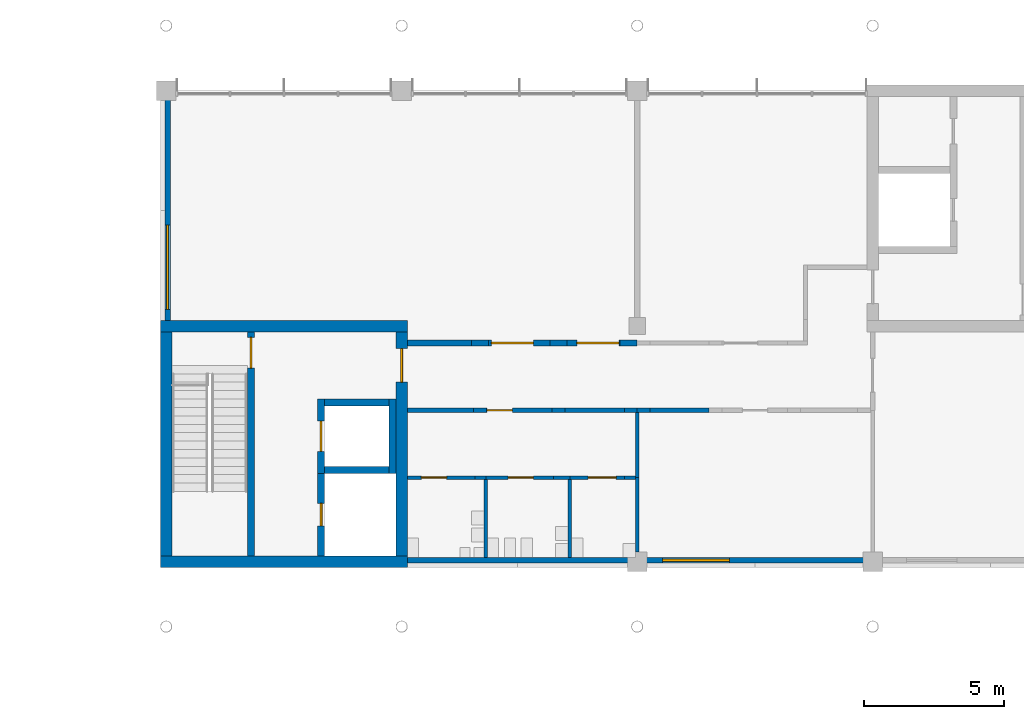
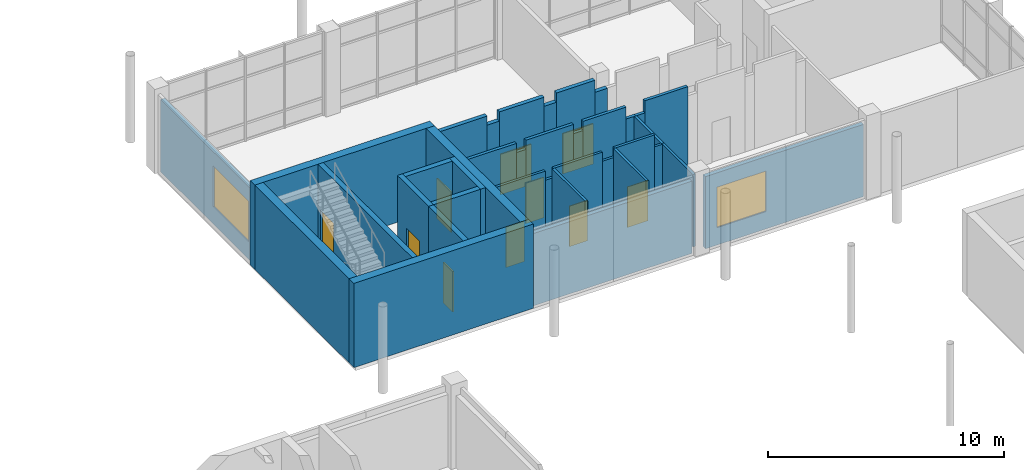
# One storey, part 44 of 70: 37 walls, 10 doors, 2 windows, 12 openings.
"""IFC4 building model written with IfcOpenShell, lengths in metres."""

import ifcopenshell
import ifcopenshell.guid

model = None  # the IFC model being written
_history = None  # IfcOwnerHistory: only IFC2X3 demands one
_inside = {}  # id of a spatial element -> (the spatial element, [elements in it])
_under = {}  # id of a project, library or spatial element -> (it, [spatial elements below it])
_declared = {}  # id of a project -> (the project, [libraries it declares])
_typed = {}  # id of a type object -> (the type object, [elements of that type])
_made_of = {}  # id of a material, layer set ... -> (it, [elements and type objects made of it])


def new_model(schema):
    """Start an empty IFC model of exactly this schema.

    Asked for "IFC4X3", IfcOpenShell would pick the latest addendum, in which some entities
    have other attributes; the version numbers below select the first issue.
    IFC2X3 requires an IfcOwnerHistory on every rooted entity: one is made here for all.
    """
    global model, _history
    if schema == "IFC4X3":
        model = ifcopenshell.file(schema_version=(4, 3, 0, 0))
    else:
        model = ifcopenshell.file(schema=schema)
    _inside.clear()
    _under.clear()
    _declared.clear()
    _typed.clear()
    _made_of.clear()
    _history = None
    if model.schema == "IFC2X3":
        org = make("IfcOrganization", Name="unknown")
        user = make(
            "IfcPersonAndOrganization",
            ThePerson=make("IfcPerson", FamilyName="unknown"),
            TheOrganization=org,
        )
        app = make(
            "IfcApplication",
            ApplicationDeveloper=org,
            Version="unknown",
            ApplicationFullName="unknown",
            ApplicationIdentifier="unknown",
        )
        _history = make(
            "IfcOwnerHistory",
            OwningUser=user,
            OwningApplication=app,
            ChangeAction="ADDED",
            CreationDate=0,
        )
    return model


def make(cls, **values):
    """One entity of the class cls with the attributes given. An attribute that is None is left unset."""
    return model.create_entity(
        cls, **{name: value for name, value in values.items() if value is not None}
    )


def rooted(cls, **values):
    """An entity with a GlobalId (a new one), such as an element, a storey or a relation."""
    return make(cls, GlobalId=ifcopenshell.guid.new(), OwnerHistory=_history, **values)


def si_unit(unit_type, name, prefix=None):
    """IfcSIUnit, for example si_unit("LENGTHUNIT", "METRE", prefix="MILLI")."""
    return make("IfcSIUnit", UnitType=unit_type, Prefix=prefix, Name=name)


def assignment(units):
    """IfcUnitAssignment: the units of a project."""
    return None if units is None else make("IfcUnitAssignment", Units=units)


def point(xyz):
    """IfcCartesianPoint."""
    return None if xyz is None else make("IfcCartesianPoint", Coordinates=xyz)


def direction(xyz):
    """IfcDirection."""
    return None if xyz is None else make("IfcDirection", DirectionRatios=xyz)


def frame(location, z_axis=None, x_axis=None):
    """IfcAxis2Placement3D, a coordinate frame: its origin and axes. An axis left out is left unset."""
    return make(
        "IfcAxis2Placement3D",
        Location=point(location),
        Axis=direction(z_axis),
        RefDirection=direction(x_axis),
    )


def frame_2d(location, x_axis=None):
    """IfcAxis2Placement2D, a coordinate frame in the plane: its origin and x axis."""
    return make(
        "IfcAxis2Placement2D", Location=point(location), RefDirection=direction(x_axis)
    )


def origin():
    """The frame at (0, 0, 0) with its axes left unset."""
    return frame((0.0, 0.0, 0.0))


def place(relative_to, where):
    """IfcLocalPlacement: puts the frame where relative to a parent placement (None: the world)."""
    return make(
        "IfcLocalPlacement", PlacementRelTo=relative_to, RelativePlacement=where
    )


def context(
    kind, dimensions, precision=None, world=None, true_north=None, identifier=None
):
    """IfcGeometricRepresentationContext, for example the 3D "Model" context."""
    return make(
        "IfcGeometricRepresentationContext",
        ContextIdentifier=identifier,
        ContextType=kind,
        CoordinateSpaceDimension=dimensions,
        Precision=precision,
        WorldCoordinateSystem=world,
        TrueNorth=true_north,
    )


def subcontext(parent, identifier, kind, view, scale=None):
    """IfcGeometricRepresentationSubContext, for example "Body" below "Model"."""
    return make(
        "IfcGeometricRepresentationSubContext",
        ContextIdentifier=identifier,
        ContextType=kind,
        ParentContext=parent,
        TargetScale=scale,
        TargetView=view,
    )


def project(units=None, contexts=None):
    """IfcProject with its units and contexts."""
    return rooted(
        "IfcProject",
        Name="project",
        RepresentationContexts=contexts,
        UnitsInContext=assignment(units),
    )


def spatial(cls, under=None, at=None, **own):
    """A site, building, storey or space (cls), placed at a placement, below another one or the project."""
    s = rooted(cls, ObjectPlacement=at, **own)
    if under is not None:
        _under.setdefault(under.id(), (under, []))[1].append(s)
    return s


def profile(cls, at=None, kind="AREA", **sizes):
    """A parametric profile (cls). Its sizes go by their IFC names, for example OverallWidth=200.0."""
    return make(cls, ProfileType=kind, Position=at, **sizes)


def rectangle(**sizes):
    """IfcRectangleProfileDef."""
    return profile("IfcRectangleProfileDef", **sizes)


def extrude(swept, where, along, depth):
    """IfcExtrudedAreaSolid: the profile swept, set in the frame where, extruded along a direction by depth."""
    return make(
        "IfcExtrudedAreaSolid",
        SweptArea=swept,
        Position=where,
        ExtrudedDirection=direction(along),
        Depth=depth,
    )


def shape(context_of_items, identifier, shape_type, items):
    """IfcShapeRepresentation: the items that make up one representation, for example the "Body"."""
    return make(
        "IfcShapeRepresentation",
        ContextOfItems=context_of_items,
        RepresentationIdentifier=identifier,
        RepresentationType=shape_type,
        Items=items,
    )


def material(Name=None, Category=None):
    """IfcMaterial."""
    return make("IfcMaterial", Name=Name, Category=Category)


def layer(
    of_material, thickness, ventilated=None, Name=None, Category=None, Priority=None
):
    """IfcMaterialLayer: one layer of a wall or slab, of a material (None: an air gap)."""
    return make(
        "IfcMaterialLayer",
        Material=of_material,
        LayerThickness=thickness,
        IsVentilated=ventilated,
        Name=Name,
        Category=Category,
        Priority=Priority,
    )


def layer_set(layers, Name=None):
    """IfcMaterialLayerSet."""
    return make("IfcMaterialLayerSet", MaterialLayers=layers, LayerSetName=Name)


def made_of(thing, what):
    """Note that an element or type object is made of a material, layer set ...; save() writes the relation."""
    if what is not None:
        _made_of.setdefault(what.id(), (what, []))[1].append(thing)
    return thing


def type_object(cls, material=None, **own):
    """A type object (cls), such as IfcWallType, which elements share."""
    return made_of(rooted(cls, **own), material)


def element(
    cls,
    number,
    at=None,
    inside=None,
    cuts=None,
    type_object=None,
    material=None,
    context=None,
    identifier="Body",
    shape_type=None,
    held_by="IfcProductDefinitionShape",
    body=None,
    shapes=None,
    **own,
):
    """One element of the class cls, such as IfcWall. Its Tag is "e" and its number.

    at: its placement. inside: the storey or other place that contains it. cuts: it is an
    opening in that element (IfcRelVoidsElement). A single representation is given by context,
    identifier, shape_type and body (its items); several are given by shapes. held_by: the class
    of the entity that holds the representations. save() writes the other relations.
    """
    e = rooted(cls, Tag="e%d" % number, ObjectPlacement=at, **own)
    if body is not None:
        shapes = [shape(context, identifier, shape_type, body)]
    if shapes is not None:
        e.Representation = make(held_by, Representations=shapes)
    if inside is not None:
        _inside.setdefault(inside.id(), (inside, []))[1].append(e)
    if cuts is not None:
        rooted(
            "IfcRelVoidsElement", RelatingBuildingElement=cuts, RelatedOpeningElement=e
        )
    if type_object is not None:
        _typed.setdefault(type_object.id(), (type_object, []))[1].append(e)
    return made_of(e, material)


def fill(opening, filler):
    """IfcRelFillsElement: the door or window that sits in an opening."""
    return rooted(
        "IfcRelFillsElement",
        RelatingOpeningElement=opening,
        RelatedBuildingElement=filler,
    )


def aggregate(whole, parts):
    """IfcRelAggregates: a whole, such as a stair, and the parts it consists of."""
    return rooted("IfcRelAggregates", RelatingObject=whole, RelatedObjects=parts)


def save(model, path):
    """Write the relations noted so far, then the file.

    IfcRelAggregates (storeys below a building ...), IfcRelContainedInSpatialStructure (elements
    in a storey), IfcRelDefinesByType, IfcRelAssociatesMaterial and IfcRelDeclares: one each for
    every whole, place, type object, material and project.
    """
    for whole, parts in _under.values():
        aggregate(whole, parts)
    for where, things in _inside.values():
        rooted(
            "IfcRelContainedInSpatialStructure",
            RelatedElements=things,
            RelatingStructure=where,
        )
    for kind, things in _typed.values():
        rooted("IfcRelDefinesByType", RelatedObjects=things, RelatingType=kind)
    for what, things in _made_of.values():
        rooted("IfcRelAssociatesMaterial", RelatedObjects=things, RelatingMaterial=what)
    for by, libraries in _declared.values():
        rooted("IfcRelDeclares", RelatingContext=by, RelatedDefinitions=libraries)
    model.write(path)


model = new_model("IFC4")

# Units and contexts
model_context = context("Model", 3, precision=1e-05, world=origin(), true_north=direction((0.0, 1.0)))
body_context = subcontext(model_context, "Body", "Model", "MODEL_VIEW")
ifc_project = project(units=[si_unit("LENGTHUNIT", "METRE"), si_unit("AREAUNIT", "SQUARE_METRE"), si_unit("VOLUMEUNIT", "CUBIC_METRE"), si_unit("PLANEANGLEUNIT", "RADIAN"), si_unit("MASSUNIT", "GRAM", prefix="KILO")], contexts=[model_context])

# Site, building, storey
site_placement = place(None, origin())
site = spatial("IfcSite", under=ifc_project, at=site_placement, CompositionType="ELEMENT")
building_placement = place(site_placement, origin())
building = spatial("IfcBuilding", under=site, at=building_placement, Name="Hlaing Beacon Police Headquarters", CompositionType="ELEMENT")
storey_placement = place(building_placement, frame((0.0, 0.0, 5.39990234375)))
storey = spatial("IfcBuildingStorey", under=building, at=storey_placement, Name="L01", CompositionType="ELEMENT", Elevation=5.39990234375)

# Walls
ifc_material_1 = material(Name="Concrete blockwork 7.5 N/mm2", Category="masonry")
ifc_layer_1 = layer(ifc_material_1, 0.199951171875)
ifc_layer_set_1 = layer_set([ifc_layer_1], Name="Concrete blockwork 7.5 N/mm2")
wall_type_1 = type_object("IfcWallType", Name="Compartment wall EI 60 200", PredefinedType="PARTITIONING", material=ifc_layer_set_1)
wall_1_placement = place(storey_placement, frame((42.199951171875, 83.39990234375, 0.0), z_axis=(0.0, 0.0, 1.0), x_axis=(1.0, 0.0, 0.0)))
element("IfcWall", 1, at=wall_1_placement, inside=storey, type_object=wall_type_1, Name="Compartment wall EI 60 200", PredefinedType="PARTITIONING", context=body_context, shape_type="SweptSolid", body=[
    extrude(rectangle(XDim=2.295166015625, YDim=0.199951171875, at=frame_2d((1.1474609375, 0.0))), origin(), (0.0, 0.0, 1.0), 4.3701171875),
])
wall_2_placement = place(storey_placement, frame((44.4951171875, 83.39990234375, 0.0), z_axis=(0.0, 0.0, 1.0), x_axis=(1.0, 0.0, 0.0)))
element("IfcWall", 2, at=wall_2_placement, inside=storey, type_object=wall_type_1, Name="Compartment wall EI 60 200", PredefinedType="PARTITIONING", context=body_context, shape_type="SweptSolid", body=[
    extrude(rectangle(XDim=0.60986328125, YDim=0.199951171875, at=frame_2d((0.304931640625, 0.0))), origin(), (0.0, 0.0, 1.0), 3.89501953125),
])

# Wall, opening, door
wall_3_placement = place(storey_placement, frame((45.10498046875, 83.39990234375, 0.0), z_axis=(0.0, 0.0, 1.0), x_axis=(1.0, 0.0, 0.0)))
wall_3 = element("IfcWall", 3, at=wall_3_placement, inside=storey, type_object=wall_type_1, Name="Compartment wall EI 60 200", PredefinedType="PARTITIONING", context=body_context, shape_type="SweptSolid", body=[
    extrude(rectangle(XDim=2.18994140625, YDim=0.199951171875, at=frame_2d((1.094970703125, 0.0))), origin(), (0.0, 0.0, 1.0), 4.3701171875),
])
opening_1_placement = place(wall_3_placement, frame((0.094970703125, 0.0, 0.0)))
opening_1 = element("IfcOpeningElement", 4, at=opening_1_placement, cuts=wall_3, Name="Opening L01-011", PredefinedType="OPENING", context=body_context, shape_type="SweptSolid", body=[
    extrude(rectangle(XDim=1.5, YDim=2.10009765625, at=frame_2d((0.75, 1.050048828125))), frame((0.0, 0.10986328125, 0.0), z_axis=(0.0, -1.0, 0.0), x_axis=(1.0, 0.0, 0.0)), (0.0, 0.0, 1.0), 0.219970703125),
])
ifc_material_2 = material(Name="Hardwood door leaf", Category="wood")
ifc_layer_2 = layer(ifc_material_2, 0.06005859375)
ifc_layer_set_2 = layer_set([ifc_layer_2], Name="Hardwood door leaf")
door_type_1 = type_object("IfcDoorType", Name="Fire cross-corridor door FD60 1500x2100", OperationType="DOUBLE_DOOR_SINGLE_SWING", PredefinedType="DOOR", material=ifc_layer_set_2)
door_1_placement = place(opening_1_placement, origin())
door_1 = element("IfcDoor", 5, at=door_1_placement, inside=storey, type_object=door_type_1, Name="Door Dispatch and Call-Taking Floor", OperationType="DOUBLE_DOOR_SINGLE_SWING", OverallHeight=2.10009765625, OverallWidth=1.5, PredefinedType="DOOR", context=body_context, shape_type="SweptSolid", body=[
    extrude(rectangle(XDim=1.5, YDim=2.10009765625, at=frame_2d((0.75, 1.050048828125))), frame((0.0, 0.030029296875, 0.0), z_axis=(0.0, -1.0, 0.0), x_axis=(1.0, 0.0, 0.0)), (0.0, 0.0, 1.0), 0.06005859375),
])
fill(opening_1, door_1)

# Wall
wall_4_placement = place(storey_placement, frame((47.294921875, 83.39990234375, 0.0), z_axis=(0.0, 0.0, 1.0), x_axis=(1.0, 0.0, 0.0)))
element("IfcWall", 6, at=wall_4_placement, inside=storey, type_object=wall_type_1, Name="Compartment wall EI 60 200", PredefinedType="PARTITIONING", context=body_context, shape_type="SweptSolid", body=[
    extrude(rectangle(XDim=0.610107421875, YDim=0.199951171875, at=frame_2d((0.30517578125, 0.0))), origin(), (0.0, 0.0, 1.0), 3.89501953125),
])

# Wall, opening, door
wall_5_placement = place(storey_placement, frame((47.905029296875, 83.39990234375, 0.0), z_axis=(0.0, 0.0, 1.0), x_axis=(1.0, 0.0, 0.0)))
wall_5 = element("IfcWall", 7, at=wall_5_placement, inside=storey, type_object=wall_type_1, Name="Compartment wall EI 60 200", PredefinedType="PARTITIONING", context=body_context, shape_type="SweptSolid", body=[
    extrude(rectangle(XDim=1.885009765625, YDim=0.199951171875, at=frame_2d((0.9423828125, 0.0))), origin(), (0.0, 0.0, 1.0), 4.3701171875),
])
opening_2_placement = place(wall_5_placement, frame((0.344970703125, 0.0, 0.0)))
opening_2 = element("IfcOpeningElement", 8, at=opening_2_placement, cuts=wall_5, Name="Opening L01-012", PredefinedType="OPENING", context=body_context, shape_type="SweptSolid", body=[
    extrude(rectangle(XDim=1.5, YDim=2.10009765625, at=frame_2d((0.75, 1.050048828125))), frame((0.0, 0.10986328125, 0.0), z_axis=(0.0, -1.0, 0.0), x_axis=(1.0, 0.0, 0.0)), (0.0, 0.0, 1.0), 0.219970703125),
])
door_2_placement = place(opening_2_placement, origin())
door_2 = element("IfcDoor", 9, at=door_2_placement, inside=storey, type_object=door_type_1, Name="Door Dispatch and Call-Taking Floor", OperationType="DOUBLE_DOOR_SINGLE_SWING", OverallHeight=2.10009765625, OverallWidth=1.5, PredefinedType="DOOR", context=body_context, shape_type="SweptSolid", body=[
    extrude(rectangle(XDim=1.5, YDim=2.10009765625, at=frame_2d((0.75, 1.050048828125))), frame((0.0, 0.030029296875, 0.0), z_axis=(0.0, -1.0, 0.0), x_axis=(1.0, 0.0, 0.0)), (0.0, 0.0, 1.0), 0.06005859375),
])
fill(opening_2, door_2)

# Walls
wall_6_placement = place(storey_placement, frame((49.7900390625, 83.39990234375, 0.0), z_axis=(0.0, 0.0, 1.0), x_axis=(1.0, 0.0, 0.0)))
element("IfcWall", 10, at=wall_6_placement, inside=storey, type_object=wall_type_1, Name="Compartment wall EI 60 200", PredefinedType="PARTITIONING", context=body_context, shape_type="SweptSolid", body=[
    extrude(rectangle(XDim=0.60986328125, YDim=0.199951171875, at=frame_2d((0.304931640625, 0.0))), origin(), (0.0, 0.0, 1.0), 3.74609375),
])
ifc_material_3 = material(Name="Concrete C60/75", Category="concrete")
ifc_layer_3 = layer(ifc_material_3, 0.39990234375)
ifc_layer_set_3 = layer_set([ifc_layer_3], Name="Concrete C60/75")
wall_type_2 = type_object("IfcWallType", Name="Core shear wall 400", PredefinedType="SHEAR", material=ifc_layer_set_3)
for number, where, z_axis, x_axis, name in (
    (11, (33.39990234375, 75.60009765625, 0.0), (0.0, 0.0, 1.0), (1.0, 0.0, 0.0), "Core shear wall"),
    (12, (33.39990234375, 84.0, 0.0), (0.0, 0.0, 1.0), (1.0, 0.0, 0.0), "Core shear wall"),
):
    element("IfcWall", number, at=place(storey_placement, frame(where, z_axis=z_axis, x_axis=x_axis)), inside=storey, type_object=wall_type_2, Name=name, PredefinedType="SHEAR", context=body_context, shape_type="SweptSolid", body=[
        extrude(rectangle(XDim=8.800048828125, YDim=0.39990234375, at=frame_2d((4.39990234375, 0.0))), origin(), (0.0, 0.0, 1.0), 4.3701171875),
    ])
wall_7_placement = place(storey_placement, frame((33.60009765625, 75.800048828125, 0.0), z_axis=(0.0, 0.0, 1.0), x_axis=(0.0, 1.0, 0.0)))
element("IfcWall", 13, at=wall_7_placement, inside=storey, type_object=wall_type_2, Name="Core shear wall", PredefinedType="SHEAR", context=body_context, shape_type="SweptSolid", body=[
    extrude(rectangle(XDim=8.0, YDim=0.39990234375, at=frame_2d((4.0, 0.0))), origin(), (0.0, 0.0, 1.0), 4.3701171875),
])

# Wall, opening, door
wall_8_placement = place(storey_placement, frame((42.0, 75.800048828125, 0.0), z_axis=(0.0, 0.0, 1.0), x_axis=(0.0, 1.0, 0.0)))
wall_8 = element("IfcWall", 14, at=wall_8_placement, inside=storey, type_object=wall_type_2, Name="Core shear wall", PredefinedType="SHEAR", context=body_context, shape_type="SweptSolid", body=[
    extrude(rectangle(XDim=8.0, YDim=0.39990234375, at=frame_2d((4.0, 0.0))), origin(), (0.0, 0.0, 1.0), 4.3701171875),
])
opening_3_placement = place(wall_8_placement, frame((6.199951171875, 0.0, 0.0)))
opening_3 = element("IfcOpeningElement", 15, at=opening_3_placement, cuts=wall_8, Name="Opening L01-915", PredefinedType="OPENING", context=body_context, shape_type="SweptSolid", body=[
    extrude(rectangle(XDim=1.199951171875, YDim=2.10009765625, at=frame_2d((0.60009765625, 1.050048828125))), frame((0.0, 0.2099609375, 0.0), z_axis=(0.0, -1.0, 0.0), x_axis=(1.0, 0.0, 0.0)), (0.0, 0.0, 1.0), 0.419921875),
])
ifc_material_4 = material(Name="Steel fire door leaf", Category="steel")
ifc_layer_4 = layer(ifc_material_4, 0.070068359375)
ifc_layer_set_4 = layer_set([ifc_layer_4], Name="Steel fire door leaf")
door_type_2 = type_object("IfcDoorType", Name="Steel fire door FD60S 1200x2100", OperationType="SINGLE_SWING_LEFT", PredefinedType="DOOR", material=ifc_layer_set_4)
door_3_placement = place(opening_3_placement, origin())
door_3 = element("IfcDoor", 16, at=door_3_placement, inside=storey, type_object=door_type_2, Name="Door Lift and Stair Lobby ST-E Entry", OperationType="SINGLE_SWING_RIGHT", OverallHeight=2.10009765625, OverallWidth=1.199951171875, PredefinedType="DOOR", context=body_context, shape_type="SweptSolid", body=[
    extrude(rectangle(XDim=1.199951171875, YDim=2.10009765625, at=frame_2d((0.60009765625, 1.050048828125))), frame((0.0, 0.03515625, 0.0), z_axis=(0.0, -1.0, 0.0), x_axis=(1.0, 0.0, 0.0)), (0.0, 0.0, 1.0), 0.070068359375),
])
fill(opening_3, door_3)

# Walls
ifc_material_5 = material(Name="Gypsum board partition")
ifc_layer_5 = layer(ifc_material_5, 0.14990234375)
ifc_layer_set_5 = layer_set([ifc_layer_5], Name="Gypsum board partition")
wall_type_3 = type_object("IfcWallType", Name="Corridor wall EI 30 150", PredefinedType="PARTITIONING", material=ifc_layer_set_5)
wall_9_placement = place(storey_placement, frame((50.39990234375, 81.0, 0.0), z_axis=(0.0, 0.0, 1.0), x_axis=(1.0, 0.0, 0.0)))
element("IfcWall", 17, at=wall_9_placement, inside=storey, type_object=wall_type_3, Name="Corridor wall EI 30 150", PredefinedType="PARTITIONING", context=body_context, shape_type="SweptSolid", body=[
    extrude(rectangle(XDim=0.460205078125, YDim=0.14990234375, at=frame_2d((0.22998046875, 0.0))), origin(), (0.0, 0.0, 1.0), 3.74609375),
])
wall_10_placement = place(storey_placement, frame((50.860107421875, 81.0, 0.0), z_axis=(0.0, 0.0, 1.0), x_axis=(1.0, 0.0, 0.0)))
element("IfcWall", 18, at=wall_10_placement, inside=storey, type_object=wall_type_3, Name="Corridor wall EI 30 150", PredefinedType="PARTITIONING", context=body_context, shape_type="SweptSolid", body=[
    extrude(rectangle(XDim=2.10986328125, YDim=0.14990234375, at=frame_2d((1.054931640625, 0.0))), origin(), (0.0, 0.0, 1.0), 4.3701171875),
])
wall_11_placement = place(storey_placement, frame((42.199951171875, 81.0, 0.0), z_axis=(0.0, 0.0, 1.0), x_axis=(1.0, 0.0, 0.0)))
element("IfcWall", 19, at=wall_11_placement, inside=storey, type_object=wall_type_3, Name="Corridor wall EI 30 150", PredefinedType="PARTITIONING", context=body_context, shape_type="SweptSolid", body=[
    extrude(rectangle(XDim=2.3701171875, YDim=0.14990234375, at=frame_2d((1.18505859375, 0.0))), origin(), (0.0, 0.0, 1.0), 4.3701171875),
])
wall_12_placement = place(storey_placement, frame((44.570068359375, 81.0, 0.0), z_axis=(0.0, 0.0, 1.0), x_axis=(1.0, 0.0, 0.0)))
element("IfcWall", 20, at=wall_12_placement, inside=storey, type_object=wall_type_3, Name="Corridor wall EI 30 150", PredefinedType="PARTITIONING", context=body_context, shape_type="SweptSolid", body=[
    extrude(rectangle(XDim=0.4599609375, YDim=0.14990234375, at=frame_2d((0.22998046875, 0.0))), origin(), (0.0, 0.0, 1.0), 3.89501953125),
])

# Wall, opening, door
wall_13_placement = place(storey_placement, frame((45.030029296875, 81.0, 0.0), z_axis=(0.0, 0.0, 1.0), x_axis=(1.0, 0.0, 0.0)))
wall_13 = element("IfcWall", 21, at=wall_13_placement, inside=storey, type_object=wall_type_3, Name="Corridor wall EI 30 150", PredefinedType="PARTITIONING", context=body_context, shape_type="SweptSolid", body=[
    extrude(rectangle(XDim=2.340087890625, YDim=0.14990234375, at=frame_2d((1.169921875, 0.0))), origin(), (0.0, 0.0, 1.0), 4.3701171875),
])
opening_4_placement = place(wall_13_placement, frame((0.02001953125, 0.0, 0.0)))
opening_4 = element("IfcOpeningElement", 22, at=opening_4_placement, cuts=wall_13, Name="Opening L01-017", PredefinedType="OPENING", context=body_context, shape_type="SweptSolid", body=[
    extrude(rectangle(XDim=0.89990234375, YDim=2.10009765625, at=frame_2d((0.449951171875, 1.050048828125))), frame((0.0, 0.0849609375, 0.0), z_axis=(0.0, -1.0, 0.0), x_axis=(1.0, 0.0, 0.0)), (0.0, 0.0, 1.0), 0.169921875),
])
ifc_material_6 = material(Name="Hardwood door leaf", Category="wood")
ifc_layer_6 = layer(ifc_material_6, 0.050048828125)
ifc_layer_set_6 = layer_set([ifc_layer_6], Name="Hardwood door leaf")
door_type_3 = type_object("IfcDoorType", Name="Fire door FD30S 900x2100", OperationType="SINGLE_SWING_LEFT", PredefinedType="DOOR", material=ifc_layer_set_6)
door_4_placement = place(opening_4_placement, frame((0.89990234375, 0.0, 0.0), z_axis=(0.0, 0.0, 1.0), x_axis=(-1.0, 0.0, 0.0)))
door_4 = element("IfcDoor", 23, at=door_4_placement, inside=storey, type_object=door_type_3, Name="Door WC Lobby", OperationType="SINGLE_SWING_LEFT", OverallHeight=2.10009765625, OverallWidth=0.89990234375, PredefinedType="DOOR", context=body_context, shape_type="SweptSolid", body=[
    extrude(rectangle(XDim=0.89990234375, YDim=2.10009765625, at=frame_2d((0.449951171875, 1.050048828125))), frame((0.0, 0.025146484375, 0.0), z_axis=(0.0, -1.0, 0.0), x_axis=(1.0, 0.0, 0.0)), (0.0, 0.0, 1.0), 0.050048828125),
])
fill(opening_4, door_4)

# Walls
wall_14_placement = place(storey_placement, frame((47.3701171875, 81.0, 0.0), z_axis=(0.0, 0.0, 1.0), x_axis=(1.0, 0.0, 0.0)))
element("IfcWall", 24, at=wall_14_placement, inside=storey, type_object=wall_type_3, Name="Corridor wall EI 30 150", PredefinedType="PARTITIONING", context=body_context, shape_type="SweptSolid", body=[
    extrude(rectangle(XDim=0.4599609375, YDim=0.14990234375, at=frame_2d((0.22998046875, 0.0))), origin(), (0.0, 0.0, 1.0), 3.89501953125),
])
wall_15_placement = place(storey_placement, frame((47.830078125, 81.0, 0.0), z_axis=(0.0, 0.0, 1.0), x_axis=(1.0, 0.0, 0.0)))
element("IfcWall", 25, at=wall_15_placement, inside=storey, type_object=wall_type_3, Name="Corridor wall EI 30 150", PredefinedType="PARTITIONING", context=body_context, shape_type="SweptSolid", body=[
    extrude(rectangle(XDim=2.10986328125, YDim=0.14990234375, at=frame_2d((1.054931640625, 0.0))), origin(), (0.0, 0.0, 1.0), 4.3701171875),
])
wall_16_placement = place(storey_placement, frame((49.93994140625, 81.0, 0.0), z_axis=(0.0, 0.0, 1.0), x_axis=(1.0, 0.0, 0.0)))
element("IfcWall", 26, at=wall_16_placement, inside=storey, type_object=wall_type_3, Name="Corridor wall EI 30 150", PredefinedType="PARTITIONING", context=body_context, shape_type="SweptSolid", body=[
    extrude(rectangle(XDim=0.4599609375, YDim=0.14990234375, at=frame_2d((0.22998046875, 0.0))), origin(), (0.0, 0.0, 1.0), 3.74609375),
])

# Wall, opening, window
ifc_material_7 = material(Name="Insulated aluminium cladding system", Category="aluminium")
ifc_layer_7 = layer(ifc_material_7, 0.199951171875)
ifc_layer_set_7 = layer_set([ifc_layer_7], Name="Insulated aluminium cladding system")
wall_type_4 = type_object("IfcWallType", Name="Insulated aluminium clad wall 200", PredefinedType="SOLIDWALL", material=ifc_layer_set_7)
wall_17_placement = place(storey_placement, frame((33.64990234375, 92.070068359375, 0.0), z_axis=(0.0, 0.0, 1.0), x_axis=(0.0, -1.0, 0.0)))
wall_17 = element("IfcWall", 27, at=wall_17_placement, inside=storey, type_object=wall_type_4, Name="External wall L01 W046", PredefinedType="SOLIDWALL", context=body_context, shape_type="SweptSolid", body=[
    extrude(rectangle(XDim=7.8701171875, YDim=0.199951171875, at=frame_2d((3.93505859375, 0.0))), origin(), (0.0, 0.0, 1.0), 3.74609375),
])
opening_5_placement = place(wall_17_placement, frame((4.469970703125, 0.0, 0.89990234375)))
opening_5 = element("IfcOpeningElement", 28, at=opening_5_placement, cuts=wall_17, Name="Opening WN27", PredefinedType="OPENING", context=body_context, shape_type="SweptSolid", body=[
    extrude(rectangle(XDim=3.0, YDim=2.10009765625, at=frame_2d((1.5, 1.050048828125))), frame((0.0, 0.10986328125, 0.0), z_axis=(0.0, -1.0, 0.0), x_axis=(1.0, 0.0, 0.0)), (0.0, 0.0, 1.0), 0.219970703125),
])
ifc_material_8 = material(Name="Aluminium frame with solar control glazing", Category="aluminium")
window_type_1 = type_object("IfcWindowType", Name="Open plan window 3000x2100 frame 80", PartitioningType="SINGLE_PANEL", PredefinedType="WINDOW", material=ifc_material_8)
window_1_placement = place(opening_5_placement, origin())
window_1 = element("IfcWindow", 29, at=window_1_placement, inside=storey, type_object=window_type_1, Name="Window L01 WO", OverallHeight=2.10009765625, OverallWidth=3.0, PartitioningType="SINGLE_PANEL", PredefinedType="WINDOW", context=body_context, shape_type="SweptSolid", body=[
    extrude(rectangle(XDim=3.0, YDim=2.10009765625, at=frame_2d((1.5, 1.050048828125))), frame((0.0, 0.0400390625, 0.0), z_axis=(0.0, -1.0, 0.0), x_axis=(1.0, 0.0, 0.0)), (0.0, 0.0, 1.0), 0.080078125),
])
fill(opening_5, window_1)

# Wall
wall_18_placement = place(storey_placement, frame((42.199951171875, 75.64990234375, 0.0), z_axis=(0.0, 0.0, 1.0), x_axis=(1.0, 0.0, 0.0)))
element("IfcWall", 30, at=wall_18_placement, inside=storey, type_object=wall_type_4, Name="External wall L01 S047", PredefinedType="SOLIDWALL", context=body_context, shape_type="SweptSolid", body=[
    extrude(rectangle(XDim=7.8701171875, YDim=0.199951171875, at=frame_2d((3.93505859375, 0.0))), origin(), (0.0, 0.0, 1.0), 3.74609375),
])

# Wall, opening, window
wall_19_placement = place(storey_placement, frame((50.72998046875, 75.64990234375, 0.0), z_axis=(0.0, 0.0, 1.0), x_axis=(1.0, 0.0, 0.0)))
wall_19 = element("IfcWall", 31, at=wall_19_placement, inside=storey, type_object=wall_type_4, Name="External wall L01 S048", PredefinedType="SOLIDWALL", context=body_context, shape_type="SweptSolid", body=[
    extrude(rectangle(XDim=7.739990234375, YDim=0.199951171875, at=frame_2d((3.8701171875, 0.0))), origin(), (0.0, 0.0, 1.0), 3.74609375),
])
opening_6_placement = place(wall_19_placement, frame((0.570068359375, 0.0, 0.89990234375)))
opening_6 = element("IfcOpeningElement", 32, at=opening_6_placement, cuts=wall_19, Name="Opening WN28", PredefinedType="OPENING", context=body_context, shape_type="SweptSolid", body=[
    extrude(rectangle(XDim=2.39990234375, YDim=2.10009765625, at=frame_2d((1.199951171875, 1.050048828125))), frame((0.0, 0.10986328125, 0.0), z_axis=(0.0, -1.0, 0.0), x_axis=(1.0, 0.0, 0.0)), (0.0, 0.0, 1.0), 0.219970703125),
])
ifc_material_9 = material(Name="Aluminium frame with solar control glazing", Category="aluminium")
window_type_2 = type_object("IfcWindowType", Name="Window 2400x2100 frame 80", PartitioningType="SINGLE_PANEL", PredefinedType="WINDOW", material=ifc_material_9)
window_2_placement = place(opening_6_placement, origin())
window_2 = element("IfcWindow", 33, at=window_2_placement, inside=storey, type_object=window_type_2, Name="Window L01 WA", OverallHeight=2.10009765625, OverallWidth=2.39990234375, PartitioningType="SINGLE_PANEL", PredefinedType="WINDOW", context=body_context, shape_type="SweptSolid", body=[
    extrude(rectangle(XDim=2.39990234375, YDim=2.10009765625, at=frame_2d((1.199951171875, 1.050048828125))), frame((0.0, 0.0400390625, 0.0), z_axis=(0.0, -1.0, 0.0), x_axis=(1.0, 0.0, 0.0)), (0.0, 0.0, 1.0), 0.080078125),
])
fill(opening_6, window_2)

# Walls
ifc_material_10 = material(Name="Gypsum board partition")
ifc_layer_8 = layer(ifc_material_10, 0.125)
ifc_layer_set_8 = layer_set([ifc_layer_8], Name="Gypsum board partition")
wall_type_5 = type_object("IfcWallType", Name="Partition 125", PredefinedType="PARTITIONING", material=ifc_layer_set_8)
wall_20_placement = place(storey_placement, frame((50.39990234375, 75.949951171875, 0.0), z_axis=(0.0, 0.0, 1.0), x_axis=(0.0, 1.0, 0.0)))
element("IfcWall", 34, at=wall_20_placement, inside=storey, type_object=wall_type_5, Name="Partition 125", PredefinedType="PARTITIONING", context=body_context, shape_type="SweptSolid", body=[
    extrude(rectangle(XDim=2.650146484375, YDim=0.125, at=frame_2d((1.3251953125, 0.0))), origin(), (0.0, 0.0, 1.0), 3.74609375),
])
wall_21_placement = place(storey_placement, frame((50.39990234375, 78.60009765625, 0.0), z_axis=(0.0, 0.0, 1.0), x_axis=(0.0, 1.0, 0.0)))
element("IfcWall", 35, at=wall_21_placement, inside=storey, type_object=wall_type_5, Name="Partition 125", PredefinedType="PARTITIONING", context=body_context, shape_type="SweptSolid", body=[
    extrude(rectangle(XDim=2.324951171875, YDim=0.125, at=frame_2d((1.16259765625, 0.0))), origin(), (0.0, 0.0, 1.0), 3.74609375),
])
wall_22_placement = place(storey_placement, frame((48.0, 75.75, 0.0), z_axis=(0.0, 0.0, 1.0), x_axis=(0.0, 1.0, 0.0)))
element("IfcWall", 36, at=wall_22_placement, inside=storey, type_object=wall_type_5, Name="Partition 125", PredefinedType="PARTITIONING", context=body_context, shape_type="SweptSolid", body=[
    extrude(rectangle(XDim=2.787109375, YDim=0.125, at=frame_2d((1.3935546875, 0.0))), origin(), (0.0, 0.0, 1.0), 4.3701171875),
])

# Wall, opening, door
wall_23_placement = place(storey_placement, frame((48.0, 78.60009765625, 0.0), z_axis=(0.0, 0.0, 1.0), x_axis=(1.0, 0.0, 0.0)))
wall_23 = element("IfcWall", 37, at=wall_23_placement, inside=storey, type_object=wall_type_5, Name="Partition 125", PredefinedType="PARTITIONING", context=body_context, shape_type="SweptSolid", body=[
    extrude(rectangle(XDim=1.951904296875, YDim=0.125, at=frame_2d((0.97607421875, 0.0))), origin(), (0.0, 0.0, 1.0), 4.3701171875),
])
opening_7_placement = place(wall_23_placement, frame((0.64990234375, 0.0, 0.0)))
opening_7 = element("IfcOpeningElement", 38, at=opening_7_placement, cuts=wall_23, Name="Opening L01-015", PredefinedType="OPENING", context=body_context, shape_type="SweptSolid", body=[
    extrude(rectangle(XDim=1.0, YDim=2.10009765625, at=frame_2d((0.5, 1.050048828125))), frame((0.0, 0.072509765625, 0.0), z_axis=(0.0, -1.0, 0.0), x_axis=(1.0, 0.0, 0.0)), (0.0, 0.0, 1.0), 0.14501953125),
])
ifc_material_11 = material(Name="Hardwood door leaf", Category="wood")
ifc_layer_9 = layer(ifc_material_11, 0.0400390625)
ifc_layer_set_9 = layer_set([ifc_layer_9], Name="Hardwood door leaf")
door_type_4 = type_object("IfcDoorType", Name="Door 1000x2100", OperationType="SINGLE_SWING_LEFT", PredefinedType="DOOR", material=ifc_layer_set_9)
door_5_placement = place(opening_7_placement, frame((1.0, 0.0, 0.0), z_axis=(0.0, 0.0, 1.0), x_axis=(-1.0, 0.0, 0.0)))
door_5 = element("IfcDoor", 39, at=door_5_placement, inside=storey, type_object=door_type_4, Name="Door Accessible WC", OperationType="SINGLE_SWING_LEFT", OverallHeight=2.10009765625, OverallWidth=1.0, PredefinedType="DOOR", context=body_context, shape_type="SweptSolid", body=[
    extrude(rectangle(XDim=1.0, YDim=2.10009765625, at=frame_2d((0.5, 1.050048828125))), frame((0.0, 0.02001953125, 0.0), z_axis=(0.0, -1.0, 0.0), x_axis=(1.0, 0.0, 0.0)), (0.0, 0.0, 1.0), 0.0400390625),
])
fill(opening_7, door_5)

# Wall
wall_24_placement = place(storey_placement, frame((49.951904296875, 78.60009765625, 0.0), z_axis=(0.0, 0.0, 1.0), x_axis=(1.0, 0.0, 0.0)))
element("IfcWall", 40, at=wall_24_placement, inside=storey, type_object=wall_type_5, Name="Partition 125", PredefinedType="PARTITIONING", context=body_context, shape_type="SweptSolid", body=[
    extrude(rectangle(XDim=0.385009765625, YDim=0.125, at=frame_2d((0.1923828125, 0.0))), origin(), (0.0, 0.0, 1.0), 3.74609375),
])

# Wall, opening, door
wall_25_placement = place(storey_placement, frame((45.0, 78.60009765625, 0.0), z_axis=(0.0, 0.0, 1.0), x_axis=(1.0, 0.0, 0.0)))
wall_25 = element("IfcWall", 41, at=wall_25_placement, inside=storey, type_object=wall_type_5, Name="Partition 125", PredefinedType="PARTITIONING", context=body_context, shape_type="SweptSolid", body=[
    extrude(rectangle(XDim=2.406982421875, YDim=0.125, at=frame_2d((1.20361328125, 0.0))), origin(), (0.0, 0.0, 1.0), 4.3701171875),
])
opening_8_placement = place(wall_25_placement, frame((0.800048828125, 0.0, 0.0)))
opening_8 = element("IfcOpeningElement", 42, at=opening_8_placement, cuts=wall_25, Name="Opening L01-016", PredefinedType="OPENING", context=body_context, shape_type="SweptSolid", body=[
    extrude(rectangle(XDim=0.89990234375, YDim=2.10009765625, at=frame_2d((0.449951171875, 1.050048828125))), frame((0.0, 0.072509765625, 0.0), z_axis=(0.0, -1.0, 0.0), x_axis=(1.0, 0.0, 0.0)), (0.0, 0.0, 1.0), 0.14501953125),
])
ifc_material_12 = material(Name="Hardwood door leaf", Category="wood")
ifc_layer_10 = layer(ifc_material_12, 0.0400390625)
ifc_layer_set_10 = layer_set([ifc_layer_10], Name="Hardwood door leaf")
door_type_5 = type_object("IfcDoorType", Name="Door 900x2100", OperationType="SINGLE_SWING_LEFT", PredefinedType="DOOR", material=ifc_layer_set_10)
door_6_placement = place(opening_8_placement, frame((0.89990234375, 0.0, 0.0), z_axis=(0.0, 0.0, 1.0), x_axis=(-1.0, 0.0, 0.0)))
door_6 = element("IfcDoor", 43, at=door_6_placement, inside=storey, type_object=door_type_5, Name="Door Female WC", OperationType="SINGLE_SWING_LEFT", OverallHeight=2.10009765625, OverallWidth=0.89990234375, PredefinedType="DOOR", context=body_context, shape_type="SweptSolid", body=[
    extrude(rectangle(XDim=0.89990234375, YDim=2.10009765625, at=frame_2d((0.449951171875, 1.050048828125))), frame((0.0, 0.02001953125, 0.0), z_axis=(0.0, -1.0, 0.0), x_axis=(1.0, 0.0, 0.0)), (0.0, 0.0, 1.0), 0.0400390625),
])
fill(opening_8, door_6)

# Walls
wall_26_placement = place(storey_placement, frame((47.406982421875, 78.60009765625, 0.0), z_axis=(0.0, 0.0, 1.0), x_axis=(1.0, 0.0, 0.0)))
element("IfcWall", 44, at=wall_26_placement, inside=storey, type_object=wall_type_5, Name="Partition 125", PredefinedType="PARTITIONING", context=body_context, shape_type="SweptSolid", body=[
    extrude(rectangle(XDim=0.593017578125, YDim=0.125, at=frame_2d((0.29638671875, 0.0))), origin(), (0.0, 0.0, 1.0), 3.89501953125),
])
wall_27_placement = place(storey_placement, frame((45.0, 75.75, 0.0), z_axis=(0.0, 0.0, 1.0), x_axis=(0.0, 1.0, 0.0)))
element("IfcWall", 45, at=wall_27_placement, inside=storey, type_object=wall_type_5, Name="Partition 125", PredefinedType="PARTITIONING", context=body_context, shape_type="SweptSolid", body=[
    extrude(rectangle(XDim=2.787109375, YDim=0.125, at=frame_2d((1.3935546875, 0.0))), origin(), (0.0, 0.0, 1.0), 4.3701171875),
])

# Wall, opening, door
wall_28_placement = place(storey_placement, frame((42.199951171875, 78.60009765625, 0.0), z_axis=(0.0, 0.0, 1.0), x_axis=(1.0, 0.0, 0.0)))
wall_28 = element("IfcWall", 46, at=wall_28_placement, inside=storey, type_object=wall_type_5, Name="Partition 125", PredefinedType="PARTITIONING", context=body_context, shape_type="SweptSolid", body=[
    extrude(rectangle(XDim=2.406982421875, YDim=0.125, at=frame_2d((1.20361328125, 0.0))), origin(), (0.0, 0.0, 1.0), 4.3701171875),
])
opening_9_placement = place(wall_28_placement, frame((0.5, 0.0, 0.0)))
opening_9 = element("IfcOpeningElement", 47, at=opening_9_placement, cuts=wall_28, Name="Opening L01-018", PredefinedType="OPENING", context=body_context, shape_type="SweptSolid", body=[
    extrude(rectangle(XDim=0.89990234375, YDim=2.10009765625, at=frame_2d((0.449951171875, 1.050048828125))), frame((0.0, 0.072509765625, 0.0), z_axis=(0.0, -1.0, 0.0), x_axis=(1.0, 0.0, 0.0)), (0.0, 0.0, 1.0), 0.14501953125),
])
door_7_placement = place(opening_9_placement, frame((0.89990234375, 0.0, 0.0), z_axis=(0.0, 0.0, 1.0), x_axis=(-1.0, 0.0, 0.0)))
door_7 = element("IfcDoor", 48, at=door_7_placement, inside=storey, type_object=door_type_5, Name="Door Male WC", OperationType="SINGLE_SWING_LEFT", OverallHeight=2.10009765625, OverallWidth=0.89990234375, PredefinedType="DOOR", context=body_context, shape_type="SweptSolid", body=[
    extrude(rectangle(XDim=0.89990234375, YDim=2.10009765625, at=frame_2d((0.449951171875, 1.050048828125))), frame((0.0, 0.02001953125, 0.0), z_axis=(0.0, -1.0, 0.0), x_axis=(1.0, 0.0, 0.0)), (0.0, 0.0, 1.0), 0.0400390625),
])
fill(opening_9, door_7)

# Wall
wall_29_placement = place(storey_placement, frame((44.60693359375, 78.60009765625, 0.0), z_axis=(0.0, 0.0, 1.0), x_axis=(1.0, 0.0, 0.0)))
element("IfcWall", 49, at=wall_29_placement, inside=storey, type_object=wall_type_5, Name="Partition 125", PredefinedType="PARTITIONING", context=body_context, shape_type="SweptSolid", body=[
    extrude(rectangle(XDim=0.39306640625, YDim=0.125, at=frame_2d((0.196533203125, 0.0))), origin(), (0.0, 0.0, 1.0), 3.89501953125),
])

# Wall, opening, door
ifc_material_13 = material(Name="Concrete C40/50", Category="concrete")
ifc_layer_11 = layer(ifc_material_13, 0.25)
ifc_layer_set_11 = layer_set([ifc_layer_11], Name="Concrete C40/50")
wall_type_6 = type_object("IfcWallType", Name="Shaft wall 250", PredefinedType="SOLIDWALL", material=ifc_layer_set_11)
wall_30_placement = place(storey_placement, frame((36.625, 83.800048828125, 0.0), z_axis=(0.0, 0.0, 1.0), x_axis=(0.0, -1.0, 0.0)))
wall_30 = element("IfcWall", 50, at=wall_30_placement, inside=storey, type_object=wall_type_6, Name="Stair enclosure wall", PredefinedType="SOLIDWALL", context=body_context, shape_type="SweptSolid", body=[
    extrude(rectangle(XDim=8.0, YDim=0.25, at=frame_2d((4.0, 0.0))), origin(), (0.0, 0.0, 1.0), 4.3701171875),
])
opening_10_placement = place(wall_30_placement, frame((0.199951171875, 0.0, 0.0)))
opening_10 = element("IfcOpeningElement", 51, at=opening_10_placement, cuts=wall_30, Name="Opening L01-917", PredefinedType="OPENING", context=body_context, shape_type="SweptSolid", body=[
    extrude(rectangle(XDim=1.10009765625, YDim=2.10009765625, at=frame_2d((0.550048828125, 1.050048828125))), frame((0.0, 0.135009765625, 0.0), z_axis=(0.0, -1.0, 0.0), x_axis=(1.0, 0.0, 0.0)), (0.0, 0.0, 1.0), 0.27001953125),
])
ifc_material_14 = material(Name="Steel fire door leaf", Category="steel")
ifc_layer_12 = layer(ifc_material_14, 0.070068359375)
ifc_layer_set_12 = layer_set([ifc_layer_12], Name="Steel fire door leaf")
door_type_6 = type_object("IfcDoorType", Name="Steel fire door FD60 1100x2100", OperationType="SINGLE_SWING_LEFT", PredefinedType="DOOR", material=ifc_layer_set_12)
door_8_placement = place(opening_10_placement, frame((1.10009765625, 0.0, 0.0), z_axis=(0.0, 0.0, 1.0), x_axis=(-1.0, 0.0, 0.0)))
door_8 = element("IfcDoor", 52, at=door_8_placement, inside=storey, type_object=door_type_6, Name="Door Stair ST-E", OperationType="SINGLE_SWING_LEFT", OverallHeight=2.10009765625, OverallWidth=1.10009765625, PredefinedType="DOOR", context=body_context, shape_type="SweptSolid", body=[
    extrude(rectangle(XDim=1.10009765625, YDim=2.10009765625, at=frame_2d((0.550048828125, 1.050048828125))), frame((0.0, 0.034912109375, 0.0), z_axis=(0.0, -1.0, 0.0), x_axis=(1.0, 0.0, 0.0)), (0.0, 0.0, 1.0), 0.070068359375),
])
fill(opening_10, door_8)

wall_31_placement = place(storey_placement, frame((39.125, 78.75, 0.0), z_axis=(0.0, 0.0, 1.0), x_axis=(0.0, -1.0, 0.0)))
wall_31 = element("IfcWall", 53, at=wall_31_placement, inside=storey, type_object=wall_type_6, Name="Lobby wall", PredefinedType="SOLIDWALL", context=body_context, shape_type="SweptSolid", body=[
    extrude(rectangle(XDim=2.949951171875, YDim=0.25, at=frame_2d((1.47509765625, 0.0))), origin(), (0.0, 0.0, 1.0), 4.3701171875),
])
opening_11_placement = place(wall_31_placement, frame((1.074951171875, 0.0, 0.0)))
opening_11 = element("IfcOpeningElement", 54, at=opening_11_placement, cuts=wall_31, Name="Opening L01-916", PredefinedType="OPENING", context=body_context, shape_type="SweptSolid", body=[
    extrude(rectangle(XDim=0.800048828125, YDim=2.10009765625, at=frame_2d((0.39990234375, 1.050048828125))), frame((0.0, 0.135009765625, 0.0), z_axis=(0.0, -1.0, 0.0), x_axis=(1.0, 0.0, 0.0)), (0.0, 0.0, 1.0), 0.27001953125),
])
ifc_material_15 = material(Name="Steel fire door leaf", Category="steel")
ifc_layer_13 = layer(ifc_material_15, 0.070068359375)
ifc_layer_set_13 = layer_set([ifc_layer_13], Name="Steel fire door leaf")
door_type_7 = type_object("IfcDoorType", Name="Steel fire door FD60 800x2100", OperationType="SINGLE_SWING_LEFT", PredefinedType="DOOR", material=ifc_layer_set_13)
door_9_placement = place(opening_11_placement, origin())
door_9 = element("IfcDoor", 55, at=door_9_placement, inside=storey, type_object=door_type_7, Name="Door Services Riser", OperationType="SINGLE_SWING_RIGHT", OverallHeight=2.10009765625, OverallWidth=0.800048828125, PredefinedType="DOOR", context=body_context, shape_type="SweptSolid", body=[
    extrude(rectangle(XDim=0.800048828125, YDim=2.10009765625, at=frame_2d((0.39990234375, 1.050048828125))), frame((0.0, 0.03515625, 0.0), z_axis=(0.0, -1.0, 0.0), x_axis=(1.0, 0.0, 0.0)), (0.0, 0.0, 1.0), 0.070068359375),
])
fill(opening_11, door_9)

# Walls
wall_32_placement = place(storey_placement, frame((41.675048828125, 78.75, 0.0), z_axis=(0.0, 0.0, 1.0), x_axis=(0.0, 1.0, 0.0)))
element("IfcWall", 56, at=wall_32_placement, inside=storey, type_object=wall_type_6, Name="Lift shaft wall PL3", PredefinedType="SOLIDWALL", context=body_context, shape_type="SweptSolid", body=[
    extrude(rectangle(XDim=2.64990234375, YDim=0.25, at=frame_2d((1.324951171875, 0.0))), origin(), (0.0, 0.0, 1.0), 4.3701171875),
])
for number, where, z_axis, x_axis, name in (
    (57, (39.25, 81.27490234375, 0.0), (0.0, 0.0, 1.0), (1.0, 0.0, 0.0), "Lift shaft wall PL3"),
    (58, (39.25, 78.875, 0.0), (0.0, 0.0, 1.0), (1.0, 0.0, 0.0), "Lift shaft wall PL3"),
):
    element("IfcWall", number, at=place(storey_placement, frame(where, z_axis=z_axis, x_axis=x_axis)), inside=storey, type_object=wall_type_6, Name=name, PredefinedType="SOLIDWALL", context=body_context, shape_type="SweptSolid", body=[
        extrude(rectangle(XDim=2.300048828125, YDim=0.25, at=frame_2d((1.14990234375, 0.0))), origin(), (0.0, 0.0, 1.0), 4.3701171875),
    ])

# Wall, opening, door
wall_33_placement = place(storey_placement, frame((39.125, 78.75, 0.0), z_axis=(0.0, 0.0, 1.0), x_axis=(0.0, 1.0, 0.0)))
wall_33 = element("IfcWall", 59, at=wall_33_placement, inside=storey, type_object=wall_type_6, Name="Lift shaft wall PL3", PredefinedType="SOLIDWALL", context=body_context, shape_type="SweptSolid", body=[
    extrude(rectangle(XDim=2.64990234375, YDim=0.25, at=frame_2d((1.324951171875, 0.0))), origin(), (0.0, 0.0, 1.0), 4.3701171875),
])
opening_12_placement = place(wall_33_placement, frame((0.77490234375, 0.0, 0.0)))
opening_12 = element("IfcOpeningElement", 60, at=opening_12_placement, cuts=wall_33, Name="Opening LD-PL3-L01", PredefinedType="OPENING", context=body_context, shape_type="SweptSolid", body=[
    extrude(rectangle(XDim=1.10009765625, YDim=2.10009765625, at=frame_2d((0.550048828125, 1.050048828125))), frame((0.0, 0.135009765625, 0.0), z_axis=(0.0, -1.0, 0.0), x_axis=(1.0, 0.0, 0.0)), (0.0, 0.0, 1.0), 0.27001953125),
])
ifc_material_16 = material(Name="Stainless steel lift landing door", Category="steel")
ifc_layer_14 = layer(ifc_material_16, 0.06005859375)
ifc_layer_set_14 = layer_set([ifc_layer_14], Name="Stainless steel lift landing door")
door_type_8 = type_object("IfcDoorType", Name="Lift landing door 1100x2100", OperationType="DOUBLE_DOOR_SLIDING", PredefinedType="DOOR", material=ifc_layer_set_14)
door_10_placement = place(opening_12_placement, origin())
door_10 = element("IfcDoor", 61, at=door_10_placement, inside=storey, type_object=door_type_8, Name="Landing door PL3 L01", OperationType="DOUBLE_DOOR_SLIDING", OverallHeight=2.10009765625, OverallWidth=1.10009765625, PredefinedType="DOOR", context=body_context, shape_type="SweptSolid", body=[
    extrude(rectangle(XDim=1.10009765625, YDim=2.10009765625, at=frame_2d((0.550048828125, 1.050048828125))), frame((0.0, 0.0400390625, 0.0), z_axis=(0.0, -1.0, 0.0), x_axis=(1.0, 0.0, 0.0)), (0.0, 0.0, 1.0), 0.080078125),
])
fill(opening_12, door_10)

save(model, "model.ifc")
